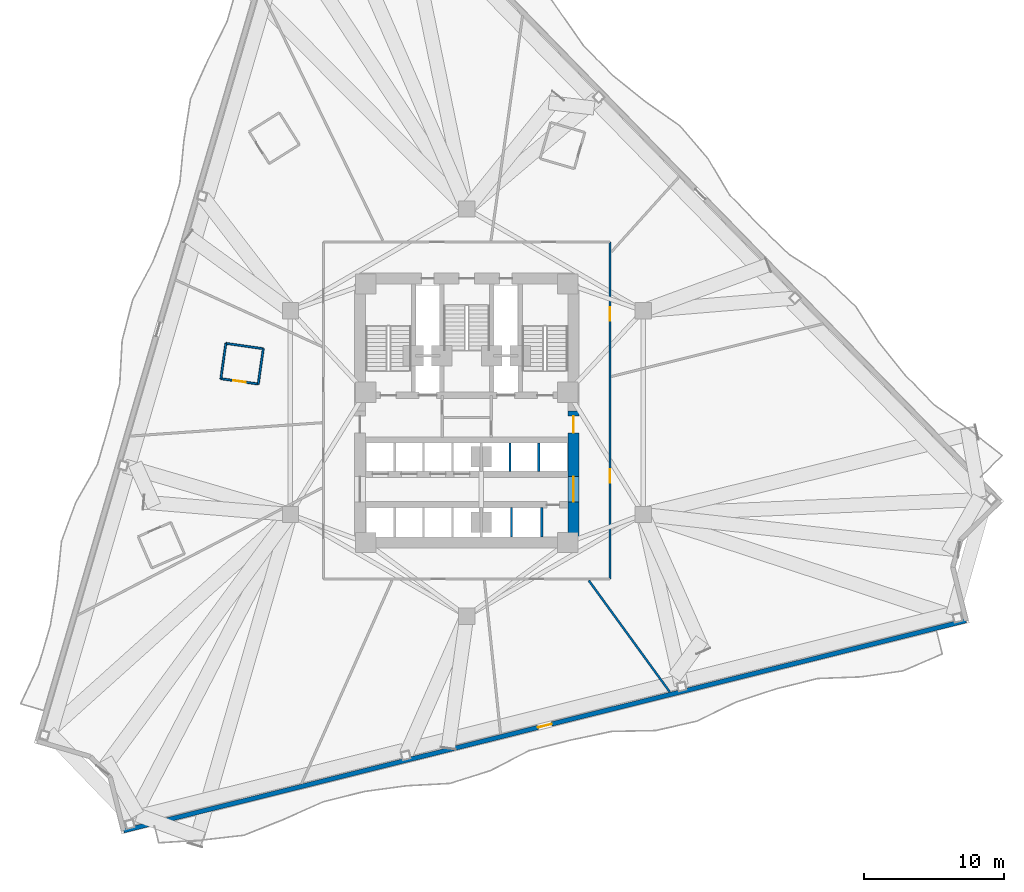
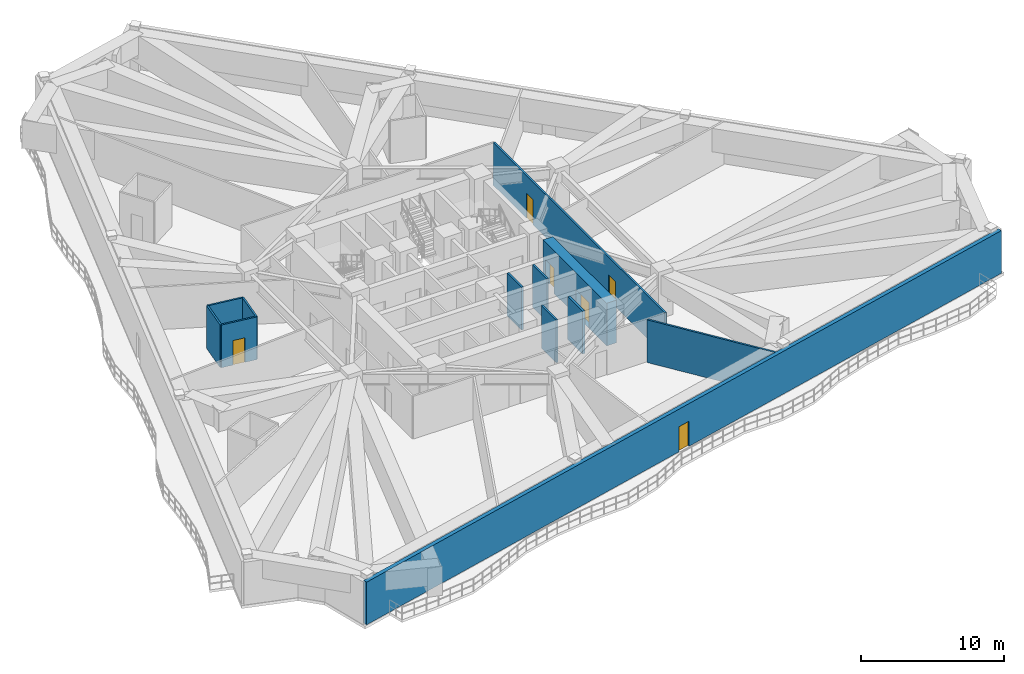
# One storey, part 8 of 14: 12 walls, 6 doors, 6 openings.
"""IFC4 building model written with IfcOpenShell, lengths in metres."""

from ifc_helpers import new_model, si_unit, direction, frame, frame_2d, origin, place, context, subcontext, project, spatial, rectangle, extrude, material, layer, layer_set, type_object, element, fill, save


model = new_model("IFC4")

# Units and contexts
model_context = context("Model", 3, precision=1e-05, world=origin(), true_north=direction((0.0, 1.0)))
body_context = subcontext(model_context, "Body", "Model", "MODEL_VIEW")
ifc_project = project(units=[si_unit("LENGTHUNIT", "METRE"), si_unit("AREAUNIT", "SQUARE_METRE"), si_unit("VOLUMEUNIT", "CUBIC_METRE"), si_unit("PLANEANGLEUNIT", "RADIAN"), si_unit("MASSUNIT", "GRAM", prefix="KILO")], contexts=[model_context])

# Site, building, storey
site_placement = place(None, origin())
site = spatial("IfcSite", under=ifc_project, at=site_placement, CompositionType="ELEMENT")
building_placement = place(site_placement, origin())
building = spatial("IfcBuilding", under=site, at=building_placement, Name="Apsidion Concourse Tower", CompositionType="ELEMENT")
storey_placement = place(building_placement, frame((0.0, 0.0, 123.0)))
storey = spatial("IfcBuildingStorey", under=building, at=storey_placement, Name="L28", CompositionType="ELEMENT", Elevation=123.0)

# Wall, opening, door
ifc_material_1 = material(Name="Precast concrete C40/50", Category="concrete")
ifc_layer_1 = layer(ifc_material_1, 0.320068359375)
ifc_layer_set_1 = layer_set([ifc_layer_1], Name="Precast concrete C40/50")
wall_type_1 = type_object("IfcWallType", Name="WL-EXT-320", PredefinedType="STANDARD", material=ifc_layer_set_1)
wall_1_placement = place(storey_placement, frame((35.546142578125, -14.818359375, 0.0), z_axis=(0.0, 0.0, 1.0), x_axis=(-0.970295883146, -0.241921266428, 0.0)))
wall_1 = element("IfcWall", 1, at=wall_1_placement, inside=storey, type_object=wall_type_1, Name="L28 Precast Stone Facade Wall 05", PredefinedType="STANDARD", context=body_context, shape_type="SweptSolid", body=[
    extrude(rectangle(XDim=61.810791015625, YDim=0.320068359375, at=frame_2d((30.9052734375, 0.0))), origin(), (0.0, 0.0, 1.0), 3.64990234375),
])
opening_1_placement = place(wall_1_placement, frame((30.405517578125, 0.0, 0.0)))
opening_1 = element("IfcOpeningElement", 2, at=opening_1_placement, cuts=wall_1, Name="Opening D-T1R", PredefinedType="OPENING", context=body_context, shape_type="SweptSolid", body=[
    extrude(rectangle(XDim=1.0, YDim=2.14990234375, at=frame_2d((0.5, 1.074951171875))), frame((0.0, 0.169921875, 0.0), z_axis=(0.0, -1.0, 0.0), x_axis=(1.0, 0.0, 0.0)), (0.0, 0.0, 1.0), 0.340087890625),
])
ifc_material_2 = material(Name="Anodised aluminium EN AW-6063 T6", Category="aluminium")
door_type_1 = type_object("IfcDoorType", Name="DR-TER-1022R", OperationType="SINGLE_SWING_RIGHT", PredefinedType="DOOR", material=ifc_material_2)
door_1_placement = place(opening_1_placement, origin())
door_1 = element("IfcDoor", 3, at=door_1_placement, inside=storey, type_object=door_type_1, Name="L28 Balcony Access Door 2", OperationType="SINGLE_SWING_RIGHT", OverallHeight=2.14990234375, OverallWidth=1.0, PredefinedType="DOOR", context=body_context, shape_type="SweptSolid", body=[
    extrude(rectangle(XDim=1.0, YDim=2.14990234375, at=frame_2d((0.5, 1.074951171875))), frame((0.0, 0.02490234375, 0.0), z_axis=(0.0, -1.0, 0.0), x_axis=(1.0, 0.0, 0.0)), (0.0, 0.0, 1.0), 0.050048828125),
])
fill(opening_1, door_1)

# Walls
ifc_material_3 = material(Name="Gypsum plasterboard partition")
ifc_layer_2 = layer(ifc_material_3, 0.139892578125)
ifc_layer_set_2 = layer_set([ifc_layer_2], Name="Gypsum plasterboard partition")
wall_type_2 = type_object("IfcWallType", Name="WL-INT-PAR-140", PredefinedType="PARTITIONING", material=ifc_layer_set_2)
wall_2_placement = place(storey_placement, frame((-14.487060546875, 4.547119140625, 0.0), z_axis=(0.0, 0.0, 1.0), x_axis=(-0.990018347782, 0.140938536447, 0.0)))
element("IfcWall", 4, at=wall_2_placement, inside=storey, type_object=wall_type_2, Name="L28 Interior Partition WL-L28-POD-ENS09-S1", PredefinedType="PARTITIONING", context=body_context, shape_type="SweptSolid", body=[
    extrude(rectangle(XDim=2.690185546875, YDim=0.139892578125, at=frame_2d((1.34521484375, 0.0))), origin(), (0.0, 0.0, 1.0), 3.64990234375),
])
wall_3_placement = place(storey_placement, frame((-17.150390625, 4.92626953125, 0.0), z_axis=(0.0, 0.0, 1.0), x_axis=(-0.140909985989, -0.990022411791, 0.0)))
element("IfcWall", 5, at=wall_3_placement, inside=storey, type_object=wall_type_2, Name="L28 Interior Partition WL-L28-POD-ENS09-S2", PredefinedType="PARTITIONING", context=body_context, shape_type="SweptSolid", body=[
    extrude(rectangle(XDim=2.5400390625, YDim=0.139892578125, at=frame_2d((1.27001953125, 0.0))), origin(), (0.0, 0.0, 1.0), 3.64990234375),
])

# Wall, opening, door
wall_4_placement = place(storey_placement, frame((-17.50830078125, 2.41162109375, 0.0), z_axis=(0.0, 0.0, 1.0), x_axis=(0.990031006793, -0.14084958498, 0.0)))
wall_4 = element("IfcWall", 6, at=wall_4_placement, inside=storey, type_object=wall_type_2, Name="L28 Interior Partition WL-L28-POD-ENS09-S3", PredefinedType="PARTITIONING", context=body_context, shape_type="SweptSolid", body=[
    extrude(rectangle(XDim=2.690185546875, YDim=0.139892578125, at=frame_2d((1.34521484375, 0.0))), origin(), (0.0, 0.0, 1.0), 3.64990234375),
])
opening_2_placement = place(wall_4_placement, frame((0.905029296875, 0.0, 0.0)))
opening_2 = element("IfcOpeningElement", 7, at=opening_2_placement, cuts=wall_4, Name="Opening D-03R", PredefinedType="OPENING", context=body_context, shape_type="SweptSolid", body=[
    extrude(rectangle(XDim=0.8798828125, YDim=2.10009765625, at=frame_2d((0.43994140625, 1.050048828125))), frame((0.0, 0.080078125, 0.0), z_axis=(0.0, -1.0, 0.0), x_axis=(1.0, 0.0, 0.0)), (0.0, 0.0, 1.0), 0.159912109375),
])
door_type_2 = type_object("IfcDoorType", Name="DR-INT-D03R", OperationType="SINGLE_SWING_RIGHT", PredefinedType="DOOR", material=ifc_material_2)
door_2_placement = place(opening_2_placement, origin())
door_2 = element("IfcDoor", 8, at=door_2_placement, inside=storey, type_object=door_type_2, Name="L28 Guest En-Suite Bathroom Door ENS09", OperationType="SINGLE_SWING_RIGHT", OverallHeight=2.10009765625, OverallWidth=0.8798828125, PredefinedType="DOOR", context=body_context, shape_type="SweptSolid", body=[
    extrude(rectangle(XDim=0.8798828125, YDim=2.10009765625, at=frame_2d((0.43994140625, 1.050048828125))), frame((0.0, 0.02490234375, 0.0), z_axis=(0.0, -1.0, 0.0), x_axis=(1.0, 0.0, 0.0)), (0.0, 0.0, 1.0), 0.050048828125),
])
fill(opening_2, door_2)

# Walls
wall_5_placement = place(storey_placement, frame((-14.844970703125, 2.03271484375, 0.0), z_axis=(0.0, 0.0, 1.0), x_axis=(0.140923396197, 0.990020503022, 0.0)))
element("IfcWall", 9, at=wall_5_placement, inside=storey, type_object=wall_type_2, Name="L28 Interior Partition WL-L28-POD-ENS09-S4", PredefinedType="PARTITIONING", context=body_context, shape_type="SweptSolid", body=[
    extrude(rectangle(XDim=2.539794921875, YDim=0.139892578125, at=frame_2d((1.27001953125, 0.0))), origin(), (0.0, 0.0, 1.0), 3.64990234375),
])
ifc_layer_3 = layer(ifc_material_3, 0.14990234375)
ifc_layer_set_3 = layer_set([ifc_layer_3], Name="Gypsum plasterboard partition")
wall_type_3 = type_object("IfcWallType", Name="WL-INT-PAR-150", PredefinedType="PARTITIONING", material=ifc_layer_set_3)
for number, where, z_axis, x_axis, name in (
    (10, (3.074951171875, -4.179931640625, 0.0), (0.0, 0.0, 1.0), (0.0, 1.0, 0.0), "L28 Interior Partition WL-L28-B3DIV-1"),
    (11, (5.125, -4.179931640625, 0.0), (0.0, 0.0, 1.0), (0.0, 1.0, 0.0), "L28 Interior Partition WL-L28-B3DIV-2"),
):
    element("IfcWall", number, at=place(storey_placement, frame(where, z_axis=z_axis, x_axis=x_axis)), inside=storey, type_object=wall_type_3, Name=name, PredefinedType="PARTITIONING", context=body_context, shape_type="SweptSolid", body=[
        extrude(rectangle(XDim=2.030029296875, YDim=0.14990234375, at=frame_2d((1.01513671875, 0.0))), origin(), (0.0, 0.0, 1.0), 3.64990234375),
    ])
wall_6_placement = place(storey_placement, frame((3.175048828125, -8.85009765625, 0.0), z_axis=(0.0, 0.0, 1.0), x_axis=(0.0, 1.0, 0.0)))
element("IfcWall", 12, at=wall_6_placement, inside=storey, type_object=wall_type_3, Name="L28 Interior Partition WL-L28-SHDIV-1", PredefinedType="PARTITIONING", context=body_context, shape_type="SweptSolid", body=[
    extrude(rectangle(XDim=2.080078125, YDim=0.14990234375, at=frame_2d((1.0400390625, 0.0))), origin(), (0.0, 0.0, 1.0), 3.64990234375),
])

# Wall, openings, doors
wall_7_placement = place(storey_placement, frame((10.199951171875, 12.14990234375, 0.0), z_axis=(0.0, 0.0, 1.0), x_axis=(0.0, -1.0, 0.0)))
wall_7 = element("IfcWall", 13, at=wall_7_placement, inside=storey, type_object=wall_type_3, Name="L28 Interior Partition WL-L28-CORR-02", PredefinedType="PARTITIONING", context=body_context, shape_type="SweptSolid", body=[
    extrude(rectangle(XDim=24.0, YDim=0.14990234375, at=frame_2d((12.0, 0.0))), origin(), (0.0, 0.0, 1.0), 3.64990234375),
])
opening_3_placement = place(wall_7_placement, frame((16.193115234375, 0.0, 0.0)))
opening_3 = element("IfcOpeningElement", 14, at=opening_3_placement, cuts=wall_7, Name="Opening D-01L", PredefinedType="OPENING", context=body_context, shape_type="SweptSolid", body=[
    extrude(rectangle(XDim=0.949951171875, YDim=2.14990234375, at=frame_2d((0.47509765625, 1.074951171875))), frame((0.0, 0.0849609375, 0.0), z_axis=(0.0, -1.0, 0.0), x_axis=(1.0, 0.0, 0.0)), (0.0, 0.0, 1.0), 0.169921875),
])
opening_4_placement = place(wall_7_placement, frame((4.65869140625, 0.0, 0.0)))
opening_4 = element("IfcOpeningElement", 15, at=opening_4_placement, cuts=wall_7, Name="Opening D-01R", PredefinedType="OPENING", context=body_context, shape_type="SweptSolid", body=[
    extrude(rectangle(XDim=0.949951171875, YDim=2.14990234375, at=frame_2d((0.47509765625, 1.074951171875))), frame((0.0, 0.0849609375, 0.0), z_axis=(0.0, -1.0, 0.0), x_axis=(1.0, 0.0, 0.0)), (0.0, 0.0, 1.0), 0.169921875),
])
ifc_material_4 = material(Name="Brushed stainless steel 316", Category="steel")
door_type_3 = type_object("IfcDoorType", Name="DR-INT-D01L", OperationType="SINGLE_SWING_LEFT", PredefinedType="DOOR", material=ifc_material_4)
door_3_placement = place(opening_3_placement, origin())
door_3 = element("IfcDoor", 16, at=door_3_placement, inside=storey, type_object=door_type_3, Name="L28 Corridor Entry Door 05", OperationType="SINGLE_SWING_LEFT", OverallHeight=2.14990234375, OverallWidth=0.949951171875, PredefinedType="DOOR", context=body_context, shape_type="SweptSolid", body=[
    extrude(rectangle(XDim=0.949951171875, YDim=2.14990234375, at=frame_2d((0.47509765625, 1.074951171875))), frame((0.0, 0.02490234375, 0.0), z_axis=(0.0, -1.0, 0.0), x_axis=(1.0, 0.0, 0.0)), (0.0, 0.0, 1.0), 0.050048828125),
])
fill(opening_3, door_3)
door_type_4 = type_object("IfcDoorType", Name="DR-INT-D01R", OperationType="SINGLE_SWING_RIGHT", PredefinedType="DOOR", material=ifc_material_4)
door_4_placement = place(opening_4_placement, origin())
door_4 = element("IfcDoor", 17, at=door_4_placement, inside=storey, type_object=door_type_4, Name="L28 Corridor Entry Door 06", OperationType="SINGLE_SWING_RIGHT", OverallHeight=2.14990234375, OverallWidth=0.949951171875, PredefinedType="DOOR", context=body_context, shape_type="SweptSolid", body=[
    extrude(rectangle(XDim=0.949951171875, YDim=2.14990234375, at=frame_2d((0.47509765625, 1.074951171875))), frame((0.0, 0.02490234375, 0.0), z_axis=(0.0, -1.0, 0.0), x_axis=(1.0, 0.0, 0.0)), (0.0, 0.0, 1.0), 0.050048828125),
])
fill(opening_4, door_4)

# Walls
wall_8_placement = place(storey_placement, frame((8.685791015625, -11.955078125, 0.0), z_axis=(0.0, 0.0, 1.0), x_axis=(0.587785653543, -0.809016702849, 0.0)))
element("IfcWall", 18, at=wall_8_placement, inside=storey, type_object=wall_type_3, Name="L28 Interior Partition WL-L28-RAD-10-1", PredefinedType="PARTITIONING", context=body_context, shape_type="SweptSolid", body=[
    extrude(rectangle(XDim=9.816162109375, YDim=0.14990234375, at=frame_2d((4.908203125, 0.0))), origin(), (0.0, 0.0, 1.0), 3.64990234375),
])
ifc_layer_4 = layer(ifc_material_3, 0.179931640625)
ifc_layer_set_4 = layer_set([ifc_layer_4], Name="Gypsum plasterboard partition")
wall_type_4 = type_object("IfcWallType", Name="WL-INT-PAR-180", PredefinedType="PARTITIONING", material=ifc_layer_set_4)
wall_9_placement = place(storey_placement, frame((5.324951171875, -8.85009765625, 0.0), z_axis=(0.0, 0.0, 1.0), x_axis=(0.0, 1.0, 0.0)))
element("IfcWall", 19, at=wall_9_placement, inside=storey, type_object=wall_type_4, Name="L28 Interior Partition WL-L28-SHDIV-2", PredefinedType="PARTITIONING", context=body_context, shape_type="SweptSolid", body=[
    extrude(rectangle(XDim=2.080078125, YDim=0.179931640625, at=frame_2d((1.0400390625, 0.0))), origin(), (0.0, 0.0, 1.0), 3.64990234375),
])

# Wall, openings, doors
ifc_material_5 = material(Name="Concrete C60/75", Category="concrete")
ifc_layer_5 = layer(ifc_material_5, 0.800048828125)
ifc_layer_set_5 = layer_set([ifc_layer_5], Name="Concrete C60/75")
wall_type_5 = type_object("IfcWallType", Name="WL-SH-800", PredefinedType="SHEAR", material=ifc_layer_set_5)
wall_10_placement = place(storey_placement, frame((7.60009765625, -8.85009765625, 0.0), z_axis=(0.0, 0.0, 1.0), x_axis=(0.0, 1.0, 0.0)))
wall_10 = element("IfcWall", 20, at=wall_10_placement, inside=storey, type_object=wall_type_5, Name="L28 Central Core Shear Wall ES", PredefinedType="SHEAR", context=body_context, shape_type="SweptSolid", body=[
    extrude(rectangle(XDim=8.9501953125, YDim=0.800048828125, at=frame_2d((4.47509765625, 0.0))), origin(), (0.0, 0.0, 1.0), 3.64990234375),
])
opening_5_placement = place(wall_10_placement, frame((2.489990234375, 0.0, 0.0)))
opening_5 = element("IfcOpeningElement", 21, at=opening_5_placement, cuts=wall_10, Name="Opening D-06D", PredefinedType="OPENING", context=body_context, shape_type="SweptSolid", body=[
    extrude(rectangle(XDim=1.800048828125, YDim=2.199951171875, at=frame_2d((0.89990234375, 1.10009765625))), frame((0.0, 0.41015625, 0.0), z_axis=(0.0, -1.0, 0.0), x_axis=(1.0, 0.0, 0.0)), (0.0, 0.0, 1.0), 0.820068359375),
])
opening_6_placement = place(wall_10_placement, frame((7.39990234375, 0.0, 0.0)))
opening_6 = element("IfcOpeningElement", 22, at=opening_6_placement, cuts=wall_10, Name="Opening D-FFR", PredefinedType="OPENING", context=body_context, shape_type="SweptSolid", body=[
    extrude(rectangle(XDim=1.199951171875, YDim=2.14990234375, at=frame_2d((0.60009765625, 1.074951171875))), frame((0.0, 0.41015625, 0.0), z_axis=(0.0, -1.0, 0.0), x_axis=(1.0, 0.0, 0.0)), (0.0, 0.0, 1.0), 0.820068359375),
])
door_type_5 = type_object("IfcDoorType", Name="DR-INT-D06D", OperationType="DOUBLE_DOOR_SINGLE_SWING", PredefinedType="DOOR", material=ifc_material_4)
door_5_placement = place(opening_5_placement, origin())
door_5 = element("IfcDoor", 23, at=door_5_placement, inside=storey, type_object=door_type_5, Name="L28 Passenger Lift Lobby ES Portal Door", OperationType="DOUBLE_DOOR_SINGLE_SWING", OverallHeight=2.199951171875, OverallWidth=1.800048828125, PredefinedType="DOOR", context=body_context, shape_type="SweptSolid", body=[
    extrude(rectangle(XDim=1.800048828125, YDim=2.199951171875, at=frame_2d((0.89990234375, 1.10009765625))), frame((0.0, 0.02490234375, 0.0), z_axis=(0.0, -1.0, 0.0), x_axis=(1.0, 0.0, 0.0)), (0.0, 0.0, 1.0), 0.050048828125),
])
fill(opening_5, door_5)
door_type_6 = type_object("IfcDoorType", Name="DR-INT-FFR", OperationType="SINGLE_SWING_RIGHT", PredefinedType="DOOR", material=ifc_material_4)
door_6_placement = place(opening_6_placement, origin())
door_6 = element("IfcDoor", 24, at=door_6_placement, inside=storey, type_object=door_type_6, Name="L28 Firefighting Lift Lobby FF2 Door", OperationType="SINGLE_SWING_RIGHT", OverallHeight=2.14990234375, OverallWidth=1.199951171875, PredefinedType="DOOR", context=body_context, shape_type="SweptSolid", body=[
    extrude(rectangle(XDim=1.199951171875, YDim=2.14990234375, at=frame_2d((0.60009765625, 1.074951171875))), frame((0.0, 0.02490234375, 0.0), z_axis=(0.0, -1.0, 0.0), x_axis=(1.0, 0.0, 0.0)), (0.0, 0.0, 1.0), 0.050048828125),
])
fill(opening_6, door_6)

save(model, "model.ifc")
